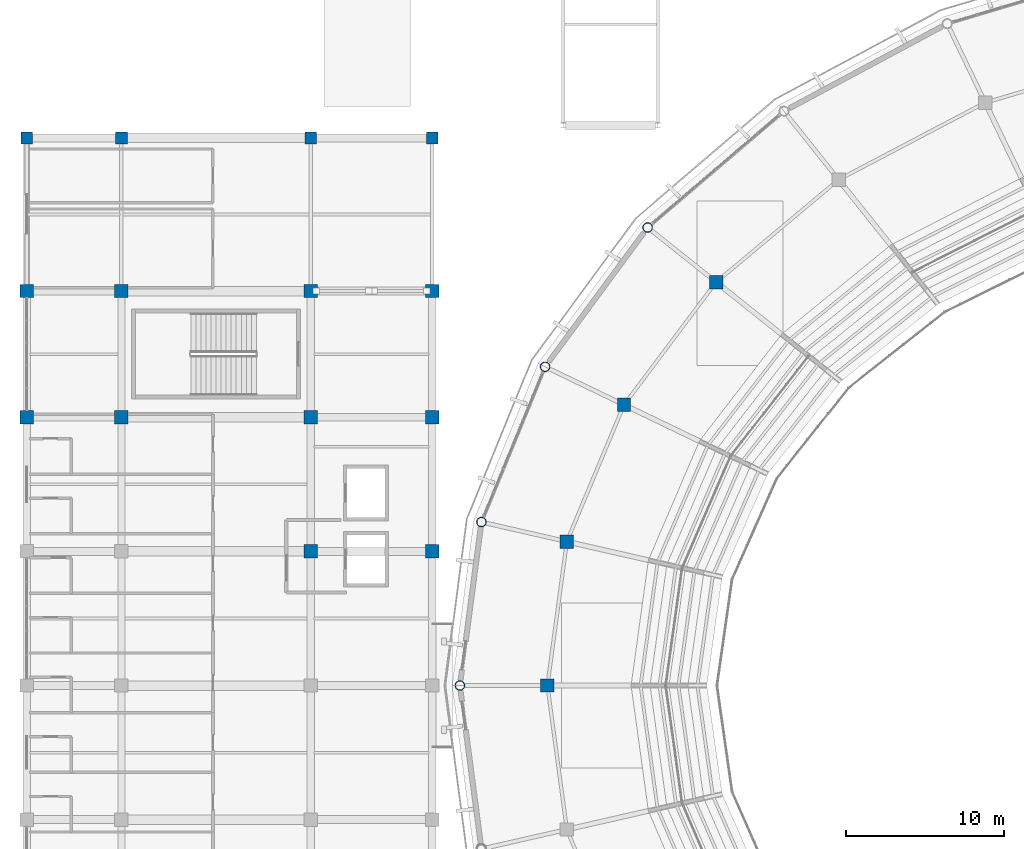
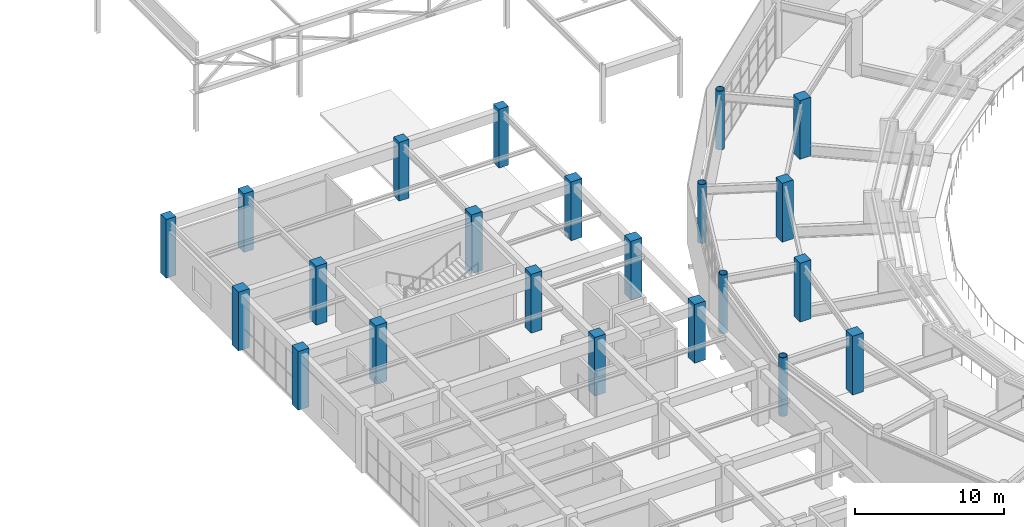
# One storey, part 7 of 122: 22 columns.
"""IFC4 building model written with IfcOpenShell, lengths in metres."""

from ifc_helpers import new_model, si_unit, direction, frame, origin, origin_2d, place, context, subcontext, project, spatial, rectangle, hollow_circle, extrude, material, material_profile, profile_set, type_object, element, save


model = new_model("IFC4")

# Units and contexts
model_context = context("Model", 3, precision=1e-05, world=origin(), true_north=direction((0.0, 1.0)))
body_context = subcontext(model_context, "Body", "Model", "MODEL_VIEW")
ifc_project = project(units=[si_unit("LENGTHUNIT", "METRE"), si_unit("AREAUNIT", "SQUARE_METRE"), si_unit("VOLUMEUNIT", "CUBIC_METRE"), si_unit("PLANEANGLEUNIT", "RADIAN"), si_unit("MASSUNIT", "GRAM", prefix="KILO")], contexts=[model_context])

# Site, building, storey
site_placement = place(None, origin())
site = spatial("IfcSite", under=ifc_project, at=site_placement, CompositionType="ELEMENT")
building_placement = place(site_placement, origin())
building = spatial("IfcBuilding", under=site, at=building_placement, Name="Cuetzalor Civic Arena", CompositionType="ELEMENT")
storey_placement = place(building_placement, frame((0.0, 0.0, 16.199951171875)))
storey = spatial("IfcBuildingStorey", under=building, at=storey_placement, Name="L03", CompositionType="ELEMENT", Elevation=16.199951171875)

# Columns
ifc_material_1 = material(Name="Concrete C40/50", Category="concrete")
ifc_material_profile_1 = material_profile(ifc_material_1, rectangle(XDim=0.75, YDim=0.75, at=origin_2d()), Name="RC 750x750")
ifc_profile_set_1 = profile_set([ifc_material_profile_1], Name="Concrete C40/50")
column_type_1 = type_object("IfcColumnType", Name="ConcreteColumn_750", PredefinedType="COLUMN", material=ifc_profile_set_1)
for number, where, z_axis, x_axis, name in (
    (1, (-82.0, 34.699951171875, 0.0), (0.0, 0.0, 1.0), (1.0, 0.0, 0.0), "Column V4W-C-01-11 L03"),
    (2, (-76.0, 34.699951171875, 0.0), (0.0, 0.0, 1.0), (1.0, 0.0, 0.0), "Column V4W-C-02-11 L03"),
    (3, (-64.0, 34.699951171875, 0.0), (0.0, 0.0, 1.0), (1.0, 0.0, 0.0), "Column V4W-C-03-11 L03"),
    (4, (-56.300048828125, 34.699951171875, 0.0), (0.0, 0.0, 1.0), (1.0, 0.0, 0.0), "Column V4W-C-04-11 L03"),
):
    element("IfcColumn", number, at=place(storey_placement, frame(where, z_axis=z_axis, x_axis=x_axis)), inside=storey, type_object=column_type_1, Name=name, PredefinedType="COLUMN", context=body_context, shape_type="SweptSolid", body=[
        extrude(rectangle(XDim=0.75, YDim=0.75, at=origin_2d()), origin(), (0.0, 0.0, 1.0), 4.800048828125),
    ])
ifc_material_2 = material(Name="Concrete C40/50", Category="concrete")
ifc_material_profile_2 = material_profile(ifc_material_2, rectangle(XDim=0.85009765625, YDim=0.85009765625, at=origin_2d()), Name="RC 850x850")
ifc_profile_set_2 = profile_set([ifc_material_profile_2], Name="Concrete C40/50")
column_type_2 = type_object("IfcColumnType", Name="ConcreteColumn_850", PredefinedType="COLUMN", material=ifc_profile_set_2)
for number, where, z_axis, x_axis, name in (
    (5, (-38.309814453125, 25.56298828125, 0.0), (0.0, 0.0, 1.0), (1.0, 0.0, 0.0), "Column V1-REC-12 L03"),
    (6, (-44.1474609375, 17.789306640625, 0.0), (0.0, 0.0, 1.0), (1.0, 0.0, 0.0), "Column V1-REC-13 L03"),
    (7, (-47.771484375, 9.123291015625, 0.0), (0.0, 0.0, 1.0), (1.0, 0.0, 0.0), "Column V1-REC-14 L03"),
    (8, (-49.0, 0.0, 0.0), (0.0, 0.0, 1.0), (1.0, 0.0, 0.0), "Column V1-REC-15 L03"),
    (9, (-82.0, 17.0, 0.0), (0.0, 0.0, 1.0), (1.0, 0.0, 0.0), "Column V4W-C-01-09 L03"),
    (10, (-82.0, 25.0, 0.0), (0.0, 0.0, 1.0), (1.0, 0.0, 0.0), "Column V4W-C-01-10 L03"),
    (11, (-76.0, 17.0, 0.0), (0.0, 0.0, 1.0), (1.0, 0.0, 0.0), "Column V4W-C-02-09 L03"),
    (12, (-76.0, 25.0, 0.0), (0.0, 0.0, 1.0), (1.0, 0.0, 0.0), "Column V4W-C-02-10 L03"),
    (13, (-64.0, 8.5, 0.0), (0.0, 0.0, 1.0), (1.0, 0.0, 0.0), "Column V4W-C-03-08 L03"),
    (14, (-64.0, 17.0, 0.0), (0.0, 0.0, 1.0), (1.0, 0.0, 0.0), "Column V4W-C-03-09 L03"),
    (15, (-64.0, 25.0, 0.0), (0.0, 0.0, 1.0), (1.0, 0.0, 0.0), "Column V4W-C-03-10 L03"),
    (16, (-56.300048828125, 8.5, 0.0), (0.0, 0.0, 1.0), (1.0, 0.0, 0.0), "Column V4W-C-04-08 L03"),
    (17, (-56.300048828125, 17.0, 0.0), (0.0, 0.0, 1.0), (1.0, 0.0, 0.0), "Column V4W-C-04-09 L03"),
    (18, (-56.300048828125, 25.0, 0.0), (0.0, 0.0, 1.0), (1.0, 0.0, 0.0), "Column V4W-C-04-10 L03"),
):
    element("IfcColumn", number, at=place(storey_placement, frame(where, z_axis=z_axis, x_axis=x_axis)), inside=storey, type_object=column_type_2, Name=name, PredefinedType="COLUMN", context=body_context, shape_type="SweptSolid", body=[
        extrude(rectangle(XDim=0.85009765625, YDim=0.85009765625, at=origin_2d()), origin(), (0.0, 0.0, 1.0), 4.800048828125),
    ])
ifc_material_3 = material(Name="Steel S355", Category="steel")
ifc_material_profile_3 = material_profile(ifc_material_3, hollow_circle(Radius=0.304931640625, WallThickness=0.02490234375, at=origin_2d()), Name="CHS 610x25")
ifc_profile_set_3 = profile_set([ifc_material_profile_3], Name="Steel S355")
column_type_3 = type_object("IfcColumnType", Name="SteelDomePylon_CHS610", PredefinedType="COLUMN", material=ifc_profile_set_3)
for number, where, z_axis, x_axis, name in (
    (19, (-42.64892578125, 29.0234375, 0.0), (0.0, 0.0, 1.0), (1.0, 0.0, 0.0), "Column V1-PYL-12 L03"),
    (20, (-49.14794921875, 20.197265625, 0.0), (0.0, 0.0, 1.0), (1.0, 0.0, 0.0), "Column V1-PYL-13 L03"),
    (21, (-53.182373046875, 10.3583984375, 0.0), (0.0, 0.0, 1.0), (1.0, 0.0, 0.0), "Column V1-PYL-14 L03"),
    (22, (-54.550048828125, 0.0, 0.0), (0.0, 0.0, 1.0), (1.0, 0.0, 0.0), "Column V1-PYL-15 L03"),
):
    element("IfcColumn", number, at=place(storey_placement, frame(where, z_axis=z_axis, x_axis=x_axis)), inside=storey, type_object=column_type_3, Name=name, PredefinedType="COLUMN", context=body_context, shape_type="SweptSolid", body=[
        extrude(hollow_circle(Radius=0.304931640625, WallThickness=0.02490234375, at=origin_2d()), origin(), (0.0, 0.0, 1.0), 4.800048828125),
    ])

save(model, "model.ifc")
